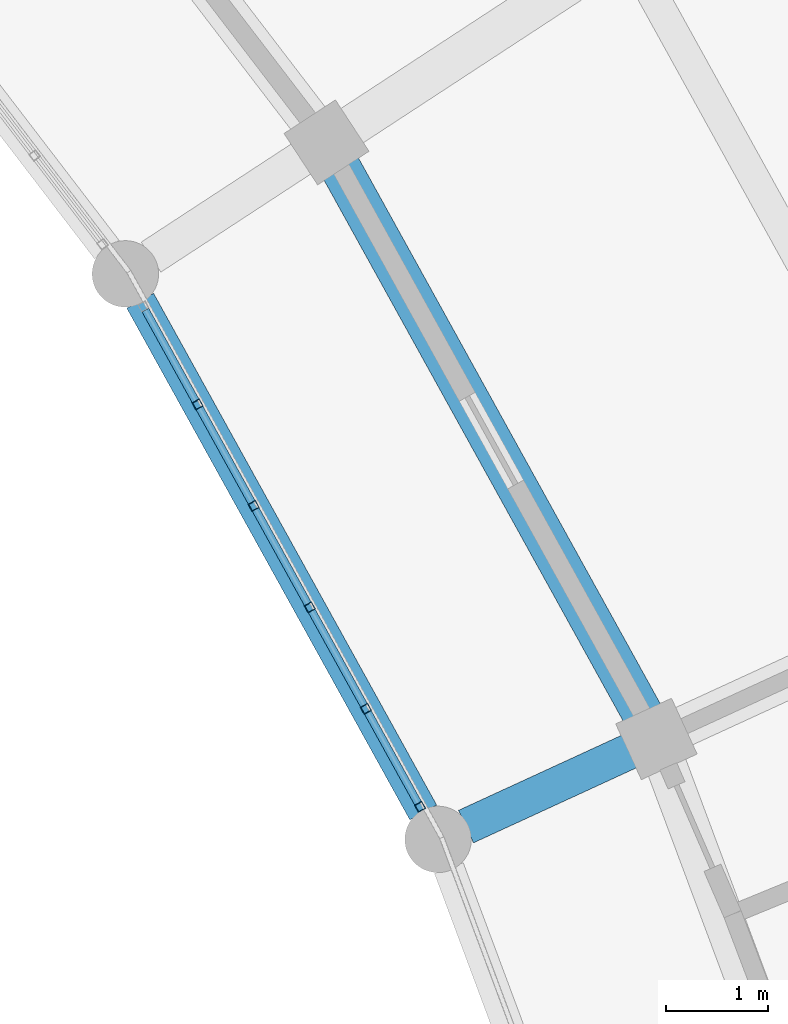
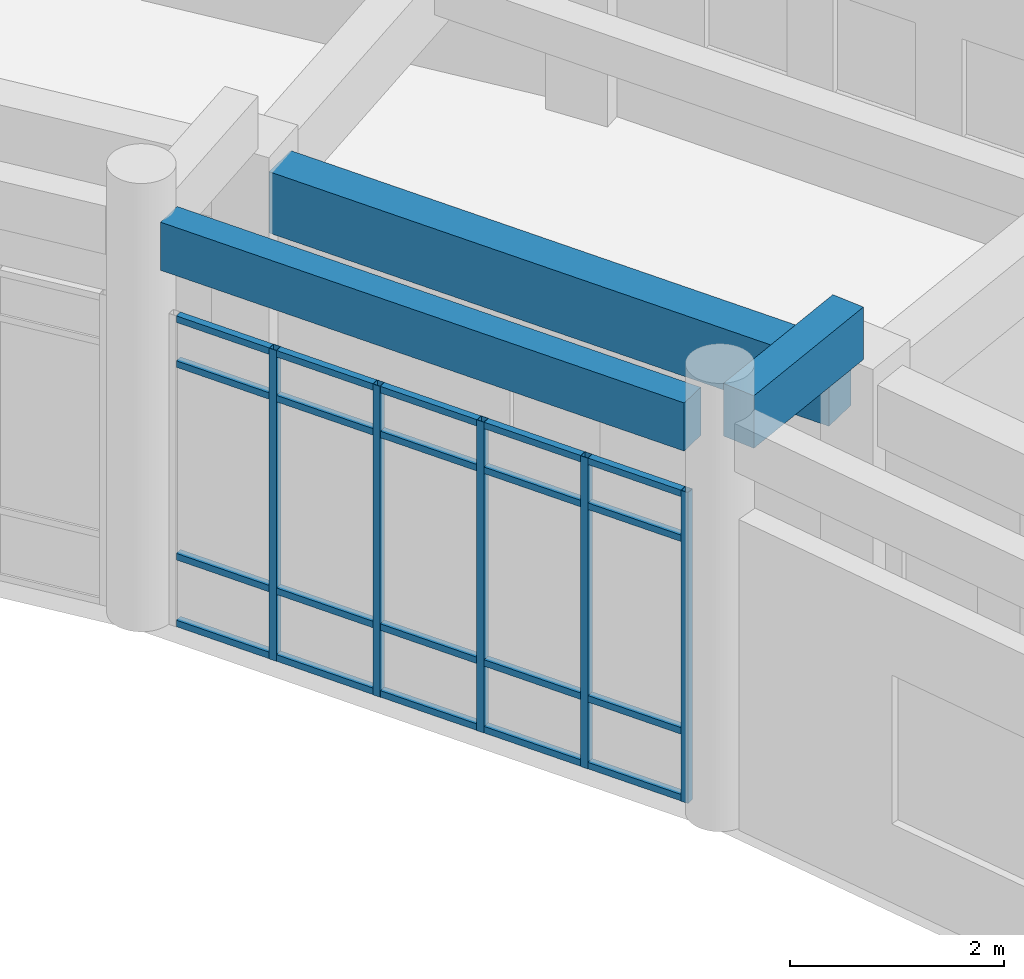
# One storey, part 74 of 159: 25 members, 3 beams, 1 element without a shape of its own.
"""IFC4 building model written with IfcOpenShell, lengths in metres."""

from ifc_helpers import new_model, si_unit, direction, frame, origin, origin_2d, place, context, subcontext, project, spatial, rectangle, hollow_rectangle, extrude, material, material_profile, profile_set, type_object, element, aggregate, save


model = new_model("IFC4")

# Units and contexts
model_context = context("Model", 3, precision=1e-05, world=origin(), true_north=direction((0.0, 1.0)))
body_context = subcontext(model_context, "Body", "Model", "MODEL_VIEW")
ifc_project = project(units=[si_unit("LENGTHUNIT", "METRE"), si_unit("AREAUNIT", "SQUARE_METRE"), si_unit("VOLUMEUNIT", "CUBIC_METRE"), si_unit("PLANEANGLEUNIT", "RADIAN"), si_unit("MASSUNIT", "GRAM", prefix="KILO")], contexts=[model_context])

# Site, building, storey
site_placement = place(None, origin())
site = spatial("IfcSite", under=ifc_project, at=site_placement, CompositionType="ELEMENT")
building_placement = place(site_placement, origin())
building = spatial("IfcBuilding", under=site, at=building_placement, Name="Celadon Cloister-Ring School", CompositionType="ELEMENT")
storey_placement = place(building_placement, frame((0.0, 0.0, 4.5)))
storey = spatial("IfcBuildingStorey", under=building, at=storey_placement, Name="L01", CompositionType="ELEMENT", Elevation=4.5)

# Beam
ifc_material_1 = material(Name="Concrete C35/45", Category="concrete")
ifc_material_profile_1 = material_profile(ifc_material_1, rectangle(XDim=0.35009765625, YDim=0.60009765625, at=origin_2d()), Name="RC350X600")
ifc_profile_set_1 = profile_set([ifc_material_profile_1], Name="Concrete C35/45")
beam_type_1 = type_object("IfcBeamType", Name="BT-02", PredefinedType="BEAM", material=ifc_profile_set_1)
beam_1_placement = place(storey_placement, frame((127.634033203125, 77.68603515625, 4.35009765625), z_axis=(-0.908405818114, -0.418089547365, 0.0), x_axis=(0.418089547365, -0.908405818114, 0.0)))
element("IfcBeam", 1, at=beam_1_placement, inside=storey, type_object=beam_type_1, Name="Beam 0258", PredefinedType="BEAM", context=body_context, shape_type="SweptSolid", body=[
    extrude(rectangle(XDim=0.35009765625, YDim=0.60009765625, at=origin_2d()), origin(), (0.0, 0.0, 1.0), 1.774658203125),
])

# Curtain wall, members
ifc_material_2 = material(Name="Aluminium EN AW-6063 T6", Category="aluminium")
curtain_wall_type = type_object("IfcCurtainWallType", Name="CW-01", PredefinedType="USERDEFINED", material=ifc_material_2)
curtain_wall_placement = place(storey_placement, origin())
curtain_wall = element("IfcCurtainWall", 2, at=curtain_wall_placement, inside=storey, type_object=curtain_wall_type, Name="Curtain Wall 0041", ObjectType="CURTAIN WALL", PredefinedType="USERDEFINED")
ifc_material_3 = material(Name="Aluminium EN AW-6063 T6", Category="aluminium")
ifc_material_profile_2 = material_profile(ifc_material_3, hollow_rectangle(XDim=0.080078125, YDim=0.080078125, WallThickness=0.00390625, at=origin_2d()), Name="RHS80X80X4")
ifc_profile_set_2 = profile_set([ifc_material_profile_2], Name="Aluminium EN AW-6063 T6")
member_type_1 = type_object("IfcMemberType", Name="CM-03", PredefinedType="MULLION", material=ifc_profile_set_2)
member_1_placement = place(storey_placement, frame((125.57275390625, 77.137939453125, 0.0), z_axis=(0.0, 0.0, 1.0), x_axis=(-0.875103966438, -0.483934962494, 0.0)))
member_1 = element("IfcMember", 3, at=member_1_placement, type_object=member_type_1, Name="CW-01 mullion 1", PredefinedType="MULLION", context=body_context, shape_type="SweptSolid", body=[
    extrude(hollow_rectangle(XDim=0.080078125, YDim=0.080078125, WallThickness=0.00390625, at=origin_2d()), origin(), (0.0, 0.0, 1.0), 3.550048828125),
])
member_2_placement = place(storey_placement, frame((125.043212890625, 78.095458984375, 0.0), z_axis=(0.0, 0.0, 1.0), x_axis=(-0.875103966438, -0.483934962494, 0.0)))
member_2 = element("IfcMember", 4, at=member_2_placement, type_object=member_type_1, Name="CW-01 mullion 2", PredefinedType="MULLION", context=body_context, shape_type="SweptSolid", body=[
    extrude(hollow_rectangle(XDim=0.080078125, YDim=0.080078125, WallThickness=0.00390625, at=origin_2d()), origin(), (0.0, 0.0, 1.0), 3.550048828125),
])
member_3_placement = place(storey_placement, frame((124.494384765625, 79.087890625, 0.0), z_axis=(0.0, 0.0, 1.0), x_axis=(-0.875103966438, -0.483934962494, 0.0)))
member_3 = element("IfcMember", 5, at=member_3_placement, type_object=member_type_1, Name="CW-01 mullion 3", PredefinedType="MULLION", context=body_context, shape_type="SweptSolid", body=[
    extrude(hollow_rectangle(XDim=0.080078125, YDim=0.080078125, WallThickness=0.00390625, at=origin_2d()), origin(), (0.0, 0.0, 1.0), 3.550048828125),
])
member_4_placement = place(storey_placement, frame((123.945556640625, 80.080078125, 0.0), z_axis=(0.0, 0.0, 1.0), x_axis=(-0.875103966438, -0.483934962494, 0.0)))
member_4 = element("IfcMember", 6, at=member_4_placement, type_object=member_type_1, Name="CW-01 mullion 4", PredefinedType="MULLION", context=body_context, shape_type="SweptSolid", body=[
    extrude(hollow_rectangle(XDim=0.080078125, YDim=0.080078125, WallThickness=0.00390625, at=origin_2d()), origin(), (0.0, 0.0, 1.0), 3.550048828125),
])
member_5_placement = place(storey_placement, frame((123.396728515625, 81.072509765625, 0.0), z_axis=(0.0, 0.0, 1.0), x_axis=(-0.875103966438, -0.483934962494, 0.0)))
member_5 = element("IfcMember", 7, at=member_5_placement, type_object=member_type_1, Name="CW-01 mullion 5", PredefinedType="MULLION", context=body_context, shape_type="SweptSolid", body=[
    extrude(hollow_rectangle(XDim=0.080078125, YDim=0.080078125, WallThickness=0.00390625, at=origin_2d()), origin(), (0.0, 0.0, 1.0), 3.550048828125),
])
ifc_material_4 = material(Name="Aluminium EN AW-6063 T6", Category="aluminium")
ifc_material_profile_3 = material_profile(ifc_material_4, hollow_rectangle(XDim=0.074951171875, YDim=0.074951171875, WallThickness=0.00390625, at=origin_2d()), Name="RHS75X75X4")
ifc_profile_set_3 = profile_set([ifc_material_profile_3], Name="Aluminium EN AW-6063 T6")
member_type_2 = type_object("IfcMemberType", Name="CTM-03", PredefinedType="USERDEFINED", material=ifc_profile_set_3)
member_6_placement = place(storey_placement, frame((125.55322265625, 77.173095703125, 0.03759765625), z_axis=(-0.484006463626, 0.875064422296, 0.0), x_axis=(-0.875064422296, -0.484006463626, 0.0)))
member_6 = element("IfcMember", 8, at=member_6_placement, type_object=member_type_2, Name="CW-01 transom 1.1", ObjectType="TRANSOM", PredefinedType="USERDEFINED", context=body_context, shape_type="SweptSolid", body=[
    extrude(hollow_rectangle(XDim=0.074951171875, YDim=0.074951171875, WallThickness=0.00390625, at=origin_2d()), origin(), (0.0, 0.0, 1.0), 1.013916015625),
])
member_7_placement = place(storey_placement, frame((125.55322265625, 77.173095703125, 0.800048828125), z_axis=(-0.484006463626, 0.875064422296, 0.0), x_axis=(-0.875064422296, -0.484006463626, 0.0)))
member_7 = element("IfcMember", 9, at=member_7_placement, type_object=member_type_2, Name="CW-01 transom 1.2", ObjectType="TRANSOM", PredefinedType="USERDEFINED", context=body_context, shape_type="SweptSolid", body=[
    extrude(hollow_rectangle(XDim=0.074951171875, YDim=0.074951171875, WallThickness=0.00390625, at=origin_2d()), origin(), (0.0, 0.0, 1.0), 1.013916015625),
])
member_8_placement = place(storey_placement, frame((125.55322265625, 77.173095703125, 3.0), z_axis=(-0.484006463626, 0.875064422296, 0.0), x_axis=(-0.875064422296, -0.484006463626, 0.0)))
member_8 = element("IfcMember", 10, at=member_8_placement, type_object=member_type_2, Name="CW-01 transom 1.3", ObjectType="TRANSOM", PredefinedType="USERDEFINED", context=body_context, shape_type="SweptSolid", body=[
    extrude(hollow_rectangle(XDim=0.074951171875, YDim=0.074951171875, WallThickness=0.00390625, at=origin_2d()), origin(), (0.0, 0.0, 1.0), 1.013916015625),
])
member_9_placement = place(storey_placement, frame((125.55322265625, 77.173095703125, 3.512451171875), z_axis=(-0.484006463626, 0.875064422296, 0.0), x_axis=(-0.875064422296, -0.484006463626, 0.0)))
member_9 = element("IfcMember", 11, at=member_9_placement, type_object=member_type_2, Name="CW-01 transom 1.4", ObjectType="TRANSOM", PredefinedType="USERDEFINED", context=body_context, shape_type="SweptSolid", body=[
    extrude(hollow_rectangle(XDim=0.074951171875, YDim=0.074951171875, WallThickness=0.00390625, at=origin_2d()), origin(), (0.0, 0.0, 1.0), 1.013916015625),
])
member_10_placement = place(storey_placement, frame((125.02392578125, 78.13037109375, 0.03759765625), z_axis=(-0.484068931604, 0.875029867751, 0.0), x_axis=(-0.875029867751, -0.484068931604, 0.0)))
member_10 = element("IfcMember", 12, at=member_10_placement, type_object=member_type_2, Name="CW-01 transom 2.1", ObjectType="TRANSOM", PredefinedType="USERDEFINED", context=body_context, shape_type="SweptSolid", body=[
    extrude(hollow_rectangle(XDim=0.074951171875, YDim=0.074951171875, WallThickness=0.00390625, at=origin_2d()), origin(), (0.0, 0.0, 1.0), 1.05419921875),
])
member_11_placement = place(storey_placement, frame((125.02392578125, 78.13037109375, 0.800048828125), z_axis=(-0.484068931604, 0.875029867751, 0.0), x_axis=(-0.875029867751, -0.484068931604, 0.0)))
member_11 = element("IfcMember", 13, at=member_11_placement, type_object=member_type_2, Name="CW-01 transom 2.2", ObjectType="TRANSOM", PredefinedType="USERDEFINED", context=body_context, shape_type="SweptSolid", body=[
    extrude(hollow_rectangle(XDim=0.074951171875, YDim=0.074951171875, WallThickness=0.00390625, at=origin_2d()), origin(), (0.0, 0.0, 1.0), 1.05419921875),
])
member_12_placement = place(storey_placement, frame((125.02392578125, 78.13037109375, 3.0), z_axis=(-0.484068931604, 0.875029867751, 0.0), x_axis=(-0.875029867751, -0.484068931604, 0.0)))
member_12 = element("IfcMember", 14, at=member_12_placement, type_object=member_type_2, Name="CW-01 transom 2.3", ObjectType="TRANSOM", PredefinedType="USERDEFINED", context=body_context, shape_type="SweptSolid", body=[
    extrude(hollow_rectangle(XDim=0.074951171875, YDim=0.074951171875, WallThickness=0.00390625, at=origin_2d()), origin(), (0.0, 0.0, 1.0), 1.05419921875),
])
member_13_placement = place(storey_placement, frame((125.02392578125, 78.13037109375, 3.512451171875), z_axis=(-0.484068931604, 0.875029867751, 0.0), x_axis=(-0.875029867751, -0.484068931604, 0.0)))
member_13 = element("IfcMember", 15, at=member_13_placement, type_object=member_type_2, Name="CW-01 transom 2.4", ObjectType="TRANSOM", PredefinedType="USERDEFINED", context=body_context, shape_type="SweptSolid", body=[
    extrude(hollow_rectangle(XDim=0.074951171875, YDim=0.074951171875, WallThickness=0.00390625, at=origin_2d()), origin(), (0.0, 0.0, 1.0), 1.05419921875),
])
member_14_placement = place(storey_placement, frame((124.47509765625, 79.122802734375, 0.03759765625), z_axis=(-0.484068931604, 0.875029867751, 0.0), x_axis=(-0.875029867751, -0.484068931604, 0.0)))
member_14 = element("IfcMember", 16, at=member_14_placement, type_object=member_type_2, Name="CW-01 transom 3.1", ObjectType="TRANSOM", PredefinedType="USERDEFINED", context=body_context, shape_type="SweptSolid", body=[
    extrude(hollow_rectangle(XDim=0.074951171875, YDim=0.074951171875, WallThickness=0.00390625, at=origin_2d()), origin(), (0.0, 0.0, 1.0), 1.05419921875),
])
member_15_placement = place(storey_placement, frame((124.47509765625, 79.122802734375, 0.800048828125), z_axis=(-0.484068931604, 0.875029867751, 0.0), x_axis=(-0.875029867751, -0.484068931604, 0.0)))
member_15 = element("IfcMember", 17, at=member_15_placement, type_object=member_type_2, Name="CW-01 transom 3.2", ObjectType="TRANSOM", PredefinedType="USERDEFINED", context=body_context, shape_type="SweptSolid", body=[
    extrude(hollow_rectangle(XDim=0.074951171875, YDim=0.074951171875, WallThickness=0.00390625, at=origin_2d()), origin(), (0.0, 0.0, 1.0), 1.05419921875),
])
member_16_placement = place(storey_placement, frame((124.47509765625, 79.122802734375, 3.0), z_axis=(-0.484068931604, 0.875029867751, 0.0), x_axis=(-0.875029867751, -0.484068931604, 0.0)))
member_16 = element("IfcMember", 18, at=member_16_placement, type_object=member_type_2, Name="CW-01 transom 3.3", ObjectType="TRANSOM", PredefinedType="USERDEFINED", context=body_context, shape_type="SweptSolid", body=[
    extrude(hollow_rectangle(XDim=0.074951171875, YDim=0.074951171875, WallThickness=0.00390625, at=origin_2d()), origin(), (0.0, 0.0, 1.0), 1.05419921875),
])
member_17_placement = place(storey_placement, frame((124.47509765625, 79.122802734375, 3.512451171875), z_axis=(-0.484068931604, 0.875029867751, 0.0), x_axis=(-0.875029867751, -0.484068931604, 0.0)))
member_17 = element("IfcMember", 19, at=member_17_placement, type_object=member_type_2, Name="CW-01 transom 3.4", ObjectType="TRANSOM", PredefinedType="USERDEFINED", context=body_context, shape_type="SweptSolid", body=[
    extrude(hollow_rectangle(XDim=0.074951171875, YDim=0.074951171875, WallThickness=0.00390625, at=origin_2d()), origin(), (0.0, 0.0, 1.0), 1.05419921875),
])
member_18_placement = place(storey_placement, frame((123.92626953125, 80.115234375, 0.03759765625), z_axis=(-0.48389156179, 0.875127965745, 0.0), x_axis=(-0.875127965745, -0.48389156179, 0.0)))
member_18 = element("IfcMember", 20, at=member_18_placement, type_object=member_type_2, Name="CW-01 transom 4.1", ObjectType="TRANSOM", PredefinedType="USERDEFINED", context=body_context, shape_type="SweptSolid", body=[
    extrude(hollow_rectangle(XDim=0.074951171875, YDim=0.074951171875, WallThickness=0.00390625, at=origin_2d()), origin(), (0.0, 0.0, 1.0), 1.053955078125),
])
member_19_placement = place(storey_placement, frame((123.92626953125, 80.115234375, 0.800048828125), z_axis=(-0.48389156179, 0.875127965745, 0.0), x_axis=(-0.875127965745, -0.48389156179, 0.0)))
member_19 = element("IfcMember", 21, at=member_19_placement, type_object=member_type_2, Name="CW-01 transom 4.2", ObjectType="TRANSOM", PredefinedType="USERDEFINED", context=body_context, shape_type="SweptSolid", body=[
    extrude(hollow_rectangle(XDim=0.074951171875, YDim=0.074951171875, WallThickness=0.00390625, at=origin_2d()), origin(), (0.0, 0.0, 1.0), 1.053955078125),
])
member_20_placement = place(storey_placement, frame((123.92626953125, 80.115234375, 3.0), z_axis=(-0.48389156179, 0.875127965745, 0.0), x_axis=(-0.875127965745, -0.48389156179, 0.0)))
member_20 = element("IfcMember", 22, at=member_20_placement, type_object=member_type_2, Name="CW-01 transom 4.3", ObjectType="TRANSOM", PredefinedType="USERDEFINED", context=body_context, shape_type="SweptSolid", body=[
    extrude(hollow_rectangle(XDim=0.074951171875, YDim=0.074951171875, WallThickness=0.00390625, at=origin_2d()), origin(), (0.0, 0.0, 1.0), 1.053955078125),
])
member_21_placement = place(storey_placement, frame((123.92626953125, 80.115234375, 3.512451171875), z_axis=(-0.48389156179, 0.875127965745, 0.0), x_axis=(-0.875127965745, -0.48389156179, 0.0)))
member_21 = element("IfcMember", 23, at=member_21_placement, type_object=member_type_2, Name="CW-01 transom 4.4", ObjectType="TRANSOM", PredefinedType="USERDEFINED", context=body_context, shape_type="SweptSolid", body=[
    extrude(hollow_rectangle(XDim=0.074951171875, YDim=0.074951171875, WallThickness=0.00390625, at=origin_2d()), origin(), (0.0, 0.0, 1.0), 1.053955078125),
])
member_22_placement = place(storey_placement, frame((123.37744140625, 81.107666015625, 0.03759765625), z_axis=(-0.484006463626, 0.875064422296, 0.0), x_axis=(-0.875064422296, -0.484006463626, 0.0)))
member_22 = element("IfcMember", 24, at=member_22_placement, type_object=member_type_2, Name="CW-01 transom 5.1", ObjectType="TRANSOM", PredefinedType="USERDEFINED", context=body_context, shape_type="SweptSolid", body=[
    extrude(hollow_rectangle(XDim=0.074951171875, YDim=0.074951171875, WallThickness=0.00390625, at=origin_2d()), origin(), (0.0, 0.0, 1.0), 1.013916015625),
])
member_23_placement = place(storey_placement, frame((123.37744140625, 81.107666015625, 0.800048828125), z_axis=(-0.484006463626, 0.875064422296, 0.0), x_axis=(-0.875064422296, -0.484006463626, 0.0)))
member_23 = element("IfcMember", 25, at=member_23_placement, type_object=member_type_2, Name="CW-01 transom 5.2", ObjectType="TRANSOM", PredefinedType="USERDEFINED", context=body_context, shape_type="SweptSolid", body=[
    extrude(hollow_rectangle(XDim=0.074951171875, YDim=0.074951171875, WallThickness=0.00390625, at=origin_2d()), origin(), (0.0, 0.0, 1.0), 1.013916015625),
])
member_24_placement = place(storey_placement, frame((123.37744140625, 81.107666015625, 3.0), z_axis=(-0.484006463626, 0.875064422296, 0.0), x_axis=(-0.875064422296, -0.484006463626, 0.0)))
member_24 = element("IfcMember", 26, at=member_24_placement, type_object=member_type_2, Name="CW-01 transom 5.3", ObjectType="TRANSOM", PredefinedType="USERDEFINED", context=body_context, shape_type="SweptSolid", body=[
    extrude(hollow_rectangle(XDim=0.074951171875, YDim=0.074951171875, WallThickness=0.00390625, at=origin_2d()), origin(), (0.0, 0.0, 1.0), 1.013916015625),
])
member_25_placement = place(storey_placement, frame((123.37744140625, 81.107666015625, 3.512451171875), z_axis=(-0.484006463626, 0.875064422296, 0.0), x_axis=(-0.875064422296, -0.484006463626, 0.0)))
member_25 = element("IfcMember", 27, at=member_25_placement, type_object=member_type_2, Name="CW-01 transom 5.4", ObjectType="TRANSOM", PredefinedType="USERDEFINED", context=body_context, shape_type="SweptSolid", body=[
    extrude(hollow_rectangle(XDim=0.074951171875, YDim=0.074951171875, WallThickness=0.00390625, at=origin_2d()), origin(), (0.0, 0.0, 1.0), 1.013916015625),
])
aggregate(curtain_wall, [member_1, member_2, member_3, member_4, member_5, member_6, member_7, member_8, member_9, member_10, member_11, member_12, member_13, member_14, member_15, member_16, member_17, member_18, member_19, member_20, member_21, member_22, member_23, member_24, member_25])

# Beams
ifc_material_5 = material(Name="Concrete C35/45", Category="concrete")
ifc_material_profile_4 = material_profile(ifc_material_5, rectangle(XDim=0.39990234375, YDim=0.699951171875, at=origin_2d()), Name="RC400X700")
ifc_profile_set_4 = profile_set([ifc_material_profile_4], Name="Concrete C35/45")
beam_type_2 = type_object("IfcBeamType", Name="GT-03", PredefinedType="USERDEFINED", material=ifc_profile_set_4)
beam_2_placement = place(storey_placement, frame((127.7509765625, 78.0419921875, 3.429931640625), z_axis=(-0.483967737304, 0.875085841074, 0.0), x_axis=(-0.875085841074, -0.483967737304, 0.0)))
element("IfcBeam", 28, at=beam_2_placement, inside=storey, type_object=beam_type_2, Name="Beam 0382", ObjectType="GIRDER", PredefinedType="USERDEFINED", context=body_context, shape_type="SweptSolid", body=[
    extrude(rectangle(XDim=0.39990234375, YDim=0.699951171875, at=origin_2d()), origin(), (0.0, 0.0, 1.0), 6.115966796875),
])
ifc_material_6 = material(Name="Concrete C35/45", Category="concrete")
ifc_material_profile_5 = material_profile(ifc_material_6, rectangle(XDim=0.300048828125, YDim=0.550048828125, at=origin_2d()), Name="RC300X550")
ifc_profile_set_5 = profile_set([ifc_material_profile_5], Name="Concrete C35/45")
beam_type_3 = type_object("IfcBeamType", Name="SP-02", PredefinedType="SPANDREL", material=ifc_profile_set_5)
beam_3_placement = place(storey_placement, frame((125.60400390625, 77.08203125, 4.375), z_axis=(-0.484054429949, 0.875037889949, 0.0), x_axis=(-0.875037889949, -0.484054429949, 0.0)))
element("IfcBeam", 29, at=beam_3_placement, inside=storey, type_object=beam_type_3, Name="Beam 0383", PredefinedType="SPANDREL", context=body_context, shape_type="SweptSolid", body=[
    extrude(rectangle(XDim=0.300048828125, YDim=0.550048828125, at=origin_2d()), origin(), (0.0, 0.0, 1.0), 5.718505859375),
])

save(model, "model.ifc")
